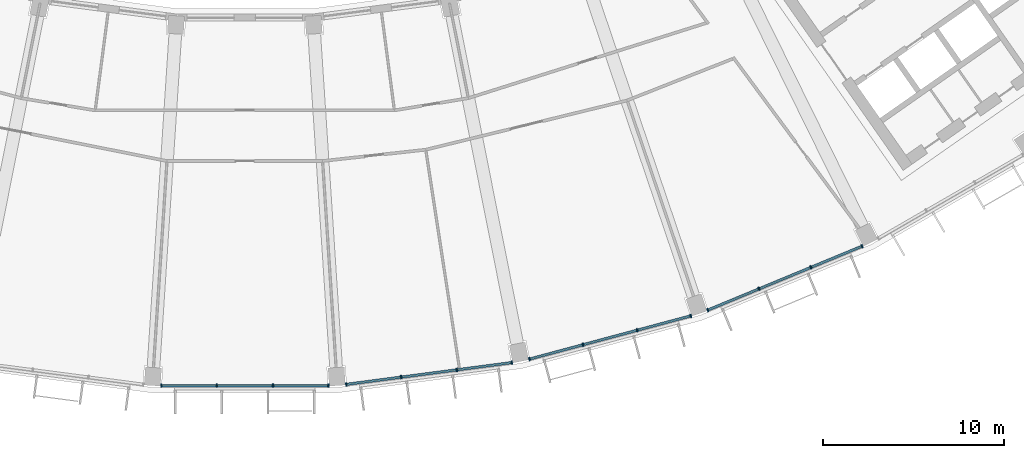
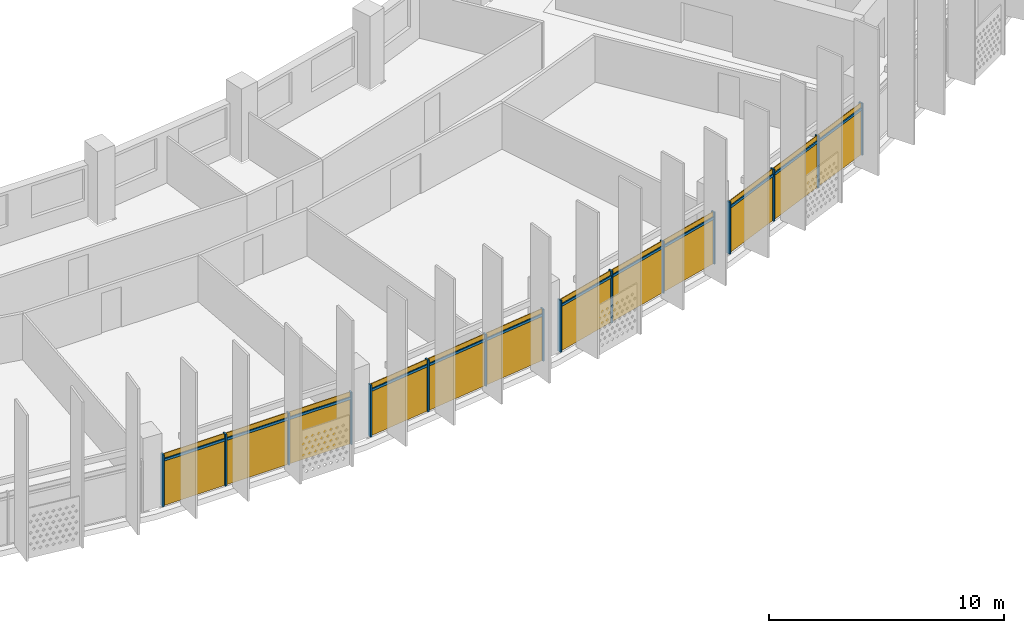
# One storey, part 19 of 29: 28 members, 4 curtain walls.
"""IFC4 building model written with IfcOpenShell, lengths in metres."""

from ifc_helpers import new_model, si_unit, direction, frame, origin, origin_2d, place, context, subcontext, project, spatial, rectangle, extrude, material, material_profile, profile_set, type_object, element, aggregate, save


model = new_model("IFC4")

# Units and contexts
model_context = context("Model", 3, precision=1e-05, world=origin(), true_north=direction((0.0, 1.0)))
body_context = subcontext(model_context, "Body", "Model", "MODEL_VIEW")
ifc_project = project(units=[si_unit("LENGTHUNIT", "METRE"), si_unit("AREAUNIT", "SQUARE_METRE"), si_unit("VOLUMEUNIT", "CUBIC_METRE"), si_unit("PLANEANGLEUNIT", "RADIAN"), si_unit("MASSUNIT", "GRAM", prefix="KILO")], contexts=[model_context])

# Member
ifc_material = material(Name="Aluminium 6063-T6 anodised", Category="aluminium")
ifc_material_profile_1 = material_profile(ifc_material, rectangle(XDim=0.199951171875, YDim=0.070068359375, at=origin_2d()))
ifc_profile_set_1 = profile_set([ifc_material_profile_1], Name="Aluminium 6063-T6 anodised")
member_type_1 = type_object("IfcMemberType", Name="Mullion 70 x 200 aluminium", PredefinedType="MULLION", material=ifc_profile_set_1)
site_placement = place(None, origin())
building_placement = place(site_placement, origin())
storey_placement = place(building_placement, frame((0.0, 0.0, 258.10009765625)))
member_1_placement = place(storey_placement, frame((-4.624267578125, -78.082275390625, 0.0), z_axis=(0.0, 0.0, 1.0), x_axis=(0.0, 1.0, 0.0)))
member_1 = element("IfcMember", 1, at=member_1_placement, type_object=member_type_1, Name="e-cw1-L62-out07/M00", PredefinedType="MULLION", context=body_context, shape_type="SweptSolid", body=[
    extrude(rectangle(XDim=0.199951171875, YDim=0.070068359375, at=origin_2d()), origin(), (0.0, 0.0, 1.0), 2.699951171875),
])

member_2_placement = place(storey_placement, frame((-1.55322265625, -78.082275390625, 0.0), z_axis=(0.0, 0.0, 1.0), x_axis=(0.0, 1.0, 0.0)))
member_2 = element("IfcMember", 2, at=member_2_placement, type_object=member_type_1, Name="e-cw1-L62-out07/M01", PredefinedType="MULLION", context=body_context, shape_type="SweptSolid", body=[
    extrude(rectangle(XDim=0.199951171875, YDim=0.070068359375, at=origin_2d()), origin(), (0.0, 0.0, 1.0), 2.699951171875),
])

member_3_placement = place(storey_placement, frame((1.55322265625, -78.082275390625, 0.0), z_axis=(0.0, 0.0, 1.0), x_axis=(0.0, 1.0, 0.0)))
member_3 = element("IfcMember", 3, at=member_3_placement, type_object=member_type_1, Name="e-cw1-L62-out07/M02", PredefinedType="MULLION", context=body_context, shape_type="SweptSolid", body=[
    extrude(rectangle(XDim=0.199951171875, YDim=0.070068359375, at=origin_2d()), origin(), (0.0, 0.0, 1.0), 2.699951171875),
])

member_4_placement = place(storey_placement, frame((4.624267578125, -78.082275390625, 0.0), z_axis=(0.0, 0.0, 1.0), x_axis=(0.0, 1.0, 0.0)))
member_4 = element("IfcMember", 4, at=member_4_placement, type_object=member_type_1, Name="e-cw1-L62-out07/M03", PredefinedType="MULLION", context=body_context, shape_type="SweptSolid", body=[
    extrude(rectangle(XDim=0.199951171875, YDim=0.070068359375, at=origin_2d()), origin(), (0.0, 0.0, 1.0), 2.699951171875),
])

member_5_placement = place(storey_placement, frame((5.60693359375, -78.017822265625, 0.0), z_axis=(0.0, 0.0, 1.0), x_axis=(-0.13052619222, 0.991444861374, 0.0)))
member_5 = element("IfcMember", 5, at=member_5_placement, type_object=member_type_1, Name="e-cw1-L62-out08/M00", PredefinedType="MULLION", context=body_context, shape_type="SweptSolid", body=[
    extrude(rectangle(XDim=0.199951171875, YDim=0.070068359375, at=origin_2d()), origin(), (0.0, 0.0, 1.0), 2.699951171875),
])

member_6_placement = place(storey_placement, frame((8.65185546875, -77.616943359375, 0.0), z_axis=(0.0, 0.0, 1.0), x_axis=(-0.13052619222, 0.991444861374, 0.0)))
member_6 = element("IfcMember", 6, at=member_6_placement, type_object=member_type_1, Name="e-cw1-L62-out08/M01", PredefinedType="MULLION", context=body_context, shape_type="SweptSolid", body=[
    extrude(rectangle(XDim=0.199951171875, YDim=0.070068359375, at=origin_2d()), origin(), (0.0, 0.0, 1.0), 2.699951171875),
])

member_7_placement = place(storey_placement, frame((11.731689453125, -77.21142578125, 0.0), z_axis=(0.0, 0.0, 1.0), x_axis=(-0.13052619222, 0.991444861374, 0.0)))
member_7 = element("IfcMember", 7, at=member_7_placement, type_object=member_type_1, Name="e-cw1-L62-out08/M02", PredefinedType="MULLION", context=body_context, shape_type="SweptSolid", body=[
    extrude(rectangle(XDim=0.199951171875, YDim=0.070068359375, at=origin_2d()), origin(), (0.0, 0.0, 1.0), 2.699951171875),
])

member_8_placement = place(storey_placement, frame((14.776611328125, -76.810546875, 0.0), z_axis=(0.0, 0.0, 1.0), x_axis=(-0.13052619222, 0.991444861374, 0.0)))
member_8 = element("IfcMember", 8, at=member_8_placement, type_object=member_type_1, Name="e-cw1-L62-out08/M03", PredefinedType="MULLION", context=body_context, shape_type="SweptSolid", body=[
    extrude(rectangle(XDim=0.199951171875, YDim=0.070068359375, at=origin_2d()), origin(), (0.0, 0.0, 1.0), 2.699951171875),
])

member_9_placement = place(storey_placement, frame((15.742431640625, -76.618408203125, 0.0), z_axis=(0.0, 0.0, 1.0), x_axis=(-0.258819045103, 0.965925826289, 0.0)))
member_9 = element("IfcMember", 9, at=member_9_placement, type_object=member_type_1, Name="e-cw1-L62-out09/M00", PredefinedType="MULLION", context=body_context, shape_type="SweptSolid", body=[
    extrude(rectangle(XDim=0.199951171875, YDim=0.070068359375, at=origin_2d()), origin(), (0.0, 0.0, 1.0), 2.699951171875),
])

member_10_placement = place(storey_placement, frame((18.708984375, -75.82373046875, 0.0), z_axis=(0.0, 0.0, 1.0), x_axis=(-0.258819045103, 0.965925826289, 0.0)))
member_10 = element("IfcMember", 10, at=member_10_placement, type_object=member_type_1, Name="e-cw1-L62-out09/M01", PredefinedType="MULLION", context=body_context, shape_type="SweptSolid", body=[
    extrude(rectangle(XDim=0.199951171875, YDim=0.070068359375, at=origin_2d()), origin(), (0.0, 0.0, 1.0), 2.699951171875),
])

member_11_placement = place(storey_placement, frame((21.70947265625, -75.019775390625, 0.0), z_axis=(0.0, 0.0, 1.0), x_axis=(-0.258819045103, 0.965925826289, 0.0)))
member_11 = element("IfcMember", 11, at=member_11_placement, type_object=member_type_1, Name="e-cw1-L62-out09/M02", PredefinedType="MULLION", context=body_context, shape_type="SweptSolid", body=[
    extrude(rectangle(XDim=0.199951171875, YDim=0.070068359375, at=origin_2d()), origin(), (0.0, 0.0, 1.0), 2.699951171875),
])

member_12_placement = place(storey_placement, frame((24.676025390625, -74.224853515625, 0.0), z_axis=(0.0, 0.0, 1.0), x_axis=(-0.258819045103, 0.965925826289, 0.0)))
member_12 = element("IfcMember", 12, at=member_12_placement, type_object=member_type_1, Name="e-cw1-L62-out09/M03", PredefinedType="MULLION", context=body_context, shape_type="SweptSolid", body=[
    extrude(rectangle(XDim=0.199951171875, YDim=0.070068359375, at=origin_2d()), origin(), (0.0, 0.0, 1.0), 2.699951171875),
])

member_13_placement = place(storey_placement, frame((25.6083984375, -73.908203125, 0.0), z_axis=(0.0, 0.0, 1.0), x_axis=(-0.382683432365, 0.923879532511, 0.0)))
member_13 = element("IfcMember", 13, at=member_13_placement, type_object=member_type_1, Name="e-cw1-L62-out10/M00", PredefinedType="MULLION", context=body_context, shape_type="SweptSolid", body=[
    extrude(rectangle(XDim=0.199951171875, YDim=0.070068359375, at=origin_2d()), origin(), (0.0, 0.0, 1.0), 2.699951171875),
])

member_14_placement = place(storey_placement, frame((28.44580078125, -72.73291015625, 0.0), z_axis=(0.0, 0.0, 1.0), x_axis=(-0.382683432365, 0.923879532511, 0.0)))
member_14 = element("IfcMember", 14, at=member_14_placement, type_object=member_type_1, Name="e-cw1-L62-out10/M01", PredefinedType="MULLION", context=body_context, shape_type="SweptSolid", body=[
    extrude(rectangle(XDim=0.199951171875, YDim=0.070068359375, at=origin_2d()), origin(), (0.0, 0.0, 1.0), 2.699951171875),
])

member_15_placement = place(storey_placement, frame((31.315673828125, -71.544189453125, 0.0), z_axis=(0.0, 0.0, 1.0), x_axis=(-0.382683432365, 0.923879532511, 0.0)))
member_15 = element("IfcMember", 15, at=member_15_placement, type_object=member_type_1, Name="e-cw1-L62-out10/M02", PredefinedType="MULLION", context=body_context, shape_type="SweptSolid", body=[
    extrude(rectangle(XDim=0.199951171875, YDim=0.070068359375, at=origin_2d()), origin(), (0.0, 0.0, 1.0), 2.699951171875),
])

member_16_placement = place(storey_placement, frame((34.153076171875, -70.368896484375, 0.0), z_axis=(0.0, 0.0, 1.0), x_axis=(-0.382683432365, 0.923879532511, 0.0)))
member_16 = element("IfcMember", 16, at=member_16_placement, type_object=member_type_1, Name="e-cw1-L62-out10/M03", PredefinedType="MULLION", context=body_context, shape_type="SweptSolid", body=[
    extrude(rectangle(XDim=0.199951171875, YDim=0.070068359375, at=origin_2d()), origin(), (0.0, 0.0, 1.0), 2.699951171875),
])

ifc_material_profile_2 = material_profile(ifc_material, rectangle(XDim=0.139892578125, YDim=0.1201171875, at=origin_2d()))
ifc_profile_set_2 = profile_set([ifc_material_profile_2], Name="Aluminium 6063-T6 anodised")
member_type_2 = type_object("IfcMemberType", Name="Transom 120 x 140 aluminium", PredefinedType="USERDEFINED", material=ifc_profile_set_2)
member_17_placement = place(storey_placement, frame((-4.58935546875, -78.082275390625, 2.39990234375), z_axis=(1.0, 0.0, 0.0), x_axis=(0.0, 1.0, 0.0)))
member_17 = element("IfcMember", 17, at=member_17_placement, type_object=member_type_2, Name="e-cw1-L62-out07/T00", ObjectType="TRANSOM", PredefinedType="USERDEFINED", context=body_context, shape_type="SweptSolid", body=[
    extrude(rectangle(XDim=0.139892578125, YDim=0.1201171875, at=origin_2d()), origin(), (0.0, 0.0, 1.0), 3.001220703125),
])

member_18_placement = place(storey_placement, frame((-1.51806640625, -78.082275390625, 2.39990234375), z_axis=(1.0, 0.0, 0.0), x_axis=(0.0, 1.0, 0.0)))
member_18 = element("IfcMember", 18, at=member_18_placement, type_object=member_type_2, Name="e-cw1-L62-out07/T01", ObjectType="TRANSOM", PredefinedType="USERDEFINED", context=body_context, shape_type="SweptSolid", body=[
    extrude(rectangle(XDim=0.139892578125, YDim=0.1201171875, at=origin_2d()), origin(), (0.0, 0.0, 1.0), 3.0361328125),
])

member_19_placement = place(storey_placement, frame((1.588134765625, -78.082275390625, 2.39990234375), z_axis=(1.0, 0.0, 0.0), x_axis=(0.0, 1.0, 0.0)))
member_19 = element("IfcMember", 19, at=member_19_placement, type_object=member_type_2, Name="e-cw1-L62-out07/T02", ObjectType="TRANSOM", PredefinedType="USERDEFINED", context=body_context, shape_type="SweptSolid", body=[
    extrude(rectangle(XDim=0.139892578125, YDim=0.1201171875, at=origin_2d()), origin(), (0.0, 0.0, 1.0), 3.001220703125),
])

member_20_placement = place(storey_placement, frame((5.6416015625, -78.01318359375, 2.39990234375), z_axis=(0.991450972696, 0.130479763719, 0.0), x_axis=(-0.130479763719, 0.991450972696, 0.0)))
member_20 = element("IfcMember", 20, at=member_20_placement, type_object=member_type_2, Name="e-cw1-L62-out08/T00", ObjectType="TRANSOM", PredefinedType="USERDEFINED", context=body_context, shape_type="SweptSolid", body=[
    extrude(rectangle(XDim=0.139892578125, YDim=0.1201171875, at=origin_2d()), origin(), (0.0, 0.0, 1.0), 3.001220703125),
])

member_21_placement = place(storey_placement, frame((8.686767578125, -77.6123046875, 2.39990234375), z_axis=(0.991447725786, 0.130504433005, 0.0), x_axis=(-0.130504433005, 0.991447725786, 0.0)))
member_21 = element("IfcMember", 21, at=member_21_placement, type_object=member_type_2, Name="e-cw1-L62-out08/T01", ObjectType="TRANSOM", PredefinedType="USERDEFINED", context=body_context, shape_type="SweptSolid", body=[
    extrude(rectangle(XDim=0.139892578125, YDim=0.1201171875, at=origin_2d()), origin(), (0.0, 0.0, 1.0), 3.0361328125),
])

member_22_placement = place(storey_placement, frame((11.766357421875, -77.20703125, 2.39990234375), z_axis=(0.991440446253, 0.13055972401, 0.0), x_axis=(-0.13055972401, 0.991440446253, 0.0)))
member_22 = element("IfcMember", 22, at=member_22_placement, type_object=member_type_2, Name="e-cw1-L62-out08/T02", ObjectType="TRANSOM", PredefinedType="USERDEFINED", context=body_context, shape_type="SweptSolid", body=[
    extrude(rectangle(XDim=0.139892578125, YDim=0.1201171875, at=origin_2d()), origin(), (0.0, 0.0, 1.0), 3.001220703125),
])

member_23_placement = place(storey_placement, frame((15.776123046875, -76.609375, 2.39990234375), z_axis=(0.965944058071, 0.258750993577, 0.0), x_axis=(-0.258750993577, 0.965944058071, 0.0)))
member_23 = element("IfcMember", 23, at=member_23_placement, type_object=member_type_2, Name="e-cw1-L62-out09/T00", ObjectType="TRANSOM", PredefinedType="USERDEFINED", context=body_context, shape_type="SweptSolid", body=[
    extrude(rectangle(XDim=0.139892578125, YDim=0.1201171875, at=origin_2d()), origin(), (0.0, 0.0, 1.0), 3.00146484375),
])

member_24_placement = place(storey_placement, frame((18.74267578125, -75.814453125, 2.39990234375), z_axis=(0.965943386189, 0.258753501769, 0.0), x_axis=(-0.258753501769, 0.965943386189, 0.0)))
member_24 = element("IfcMember", 24, at=member_24_placement, type_object=member_type_2, Name="e-cw1-L62-out09/T01", ObjectType="TRANSOM", PredefinedType="USERDEFINED", context=body_context, shape_type="SweptSolid", body=[
    extrude(rectangle(XDim=0.139892578125, YDim=0.1201171875, at=origin_2d()), origin(), (0.0, 0.0, 1.0), 3.036376953125),
])

member_25_placement = place(storey_placement, frame((21.7431640625, -75.0107421875, 2.39990234375), z_axis=(0.965918275034, 0.258847225127, 0.0), x_axis=(-0.258847225127, 0.965918275034, 0.0)))
member_25 = element("IfcMember", 25, at=member_25_placement, type_object=member_type_2, Name="e-cw1-L62-out09/T02", ObjectType="TRANSOM", PredefinedType="USERDEFINED", context=body_context, shape_type="SweptSolid", body=[
    extrude(rectangle(XDim=0.139892578125, YDim=0.1201171875, at=origin_2d()), origin(), (0.0, 0.0, 1.0), 3.001220703125),
])

member_26_placement = place(storey_placement, frame((25.640869140625, -73.894775390625, 2.39990234375), z_axis=(0.923885958475, 0.382667918347, 0.0), x_axis=(-0.382667918347, 0.923885958475, 0.0)))
member_26 = element("IfcMember", 26, at=member_26_placement, type_object=member_type_2, Name="e-cw1-L62-out10/T00", ObjectType="TRANSOM", PredefinedType="USERDEFINED", context=body_context, shape_type="SweptSolid", body=[
    extrude(rectangle(XDim=0.139892578125, YDim=0.1201171875, at=origin_2d()), origin(), (0.0, 0.0, 1.0), 3.001220703125),
])

member_27_placement = place(storey_placement, frame((28.478271484375, -72.719482421875, 2.39990234375), z_axis=(0.923888454036, 0.38266189319, 0.0), x_axis=(-0.38266189319, 0.923888454036, 0.0)))
member_27 = element("IfcMember", 27, at=member_27_placement, type_object=member_type_2, Name="e-cw1-L62-out10/T01", ObjectType="TRANSOM", PredefinedType="USERDEFINED", context=body_context, shape_type="SweptSolid", body=[
    extrude(rectangle(XDim=0.139892578125, YDim=0.1201171875, at=origin_2d()), origin(), (0.0, 0.0, 1.0), 3.036376953125),
])

member_28_placement = place(storey_placement, frame((31.347900390625, -71.53076171875, 2.39990234375), z_axis=(0.923897869521, 0.382639159907, 0.0), x_axis=(-0.382639159907, 0.923897869521, 0.0)))
member_28 = element("IfcMember", 28, at=member_28_placement, type_object=member_type_2, Name="e-cw1-L62-out10/T02", ObjectType="TRANSOM", PredefinedType="USERDEFINED", context=body_context, shape_type="SweptSolid", body=[
    extrude(rectangle(XDim=0.139892578125, YDim=0.1201171875, at=origin_2d()), origin(), (0.0, 0.0, 1.0), 3.00146484375),
])

# Site, building, storey
site = spatial("IfcSite", under=ifc_project, at=site_placement, CompositionType="ELEMENT")
building = spatial("IfcBuilding", under=site, at=building_placement, Name="Qamariyya Broadcast Tower", CompositionType="ELEMENT")
storey = spatial("IfcBuildingStorey", under=building, at=storey_placement, Name="L62", CompositionType="ELEMENT", Elevation=258.10009765625)

# Curtain wall
curtain_wall_type = type_object("IfcCurtainWallType", Name="Unitised curtain wall, anodised aluminium", PredefinedType="NOTDEFINED", material=ifc_material)
curtain_wall_1_placement = place(storey_placement, origin())
curtain_wall_1 = element("IfcCurtainWall", 29, at=curtain_wall_1_placement, inside=storey, type_object=curtain_wall_type, Name="e-cw1-L62-out07", PredefinedType="NOTDEFINED", context=body_context, shape_type="SweptSolid", body=[
    extrude(rectangle(XDim=3.001220703125, YDim=0.031982421875, at=origin_2d()), frame((-3.0888671875, -78.082275390625, 0.0), x_axis=(1.0, 0.0, 0.0)), (0.0, 0.0, 1.0), 2.340087890625),
    extrude(rectangle(XDim=3.001220703125, YDim=0.031982421875, at=origin_2d()), frame((-3.0888671875, -78.082275390625, 2.4599609375), x_axis=(1.0, 0.0, 0.0)), (0.0, 0.0, 1.0), 0.239990234375),
    extrude(rectangle(XDim=3.036376953125, YDim=0.031982421875, at=origin_2d()), frame((0.0, -78.082275390625, 0.0), x_axis=(1.0, 0.0, 0.0)), (0.0, 0.0, 1.0), 2.340087890625),
    extrude(rectangle(XDim=3.036376953125, YDim=0.031982421875, at=origin_2d()), frame((0.0, -78.082275390625, 2.4599609375), x_axis=(1.0, 0.0, 0.0)), (0.0, 0.0, 1.0), 0.239990234375),
    extrude(rectangle(XDim=3.001220703125, YDim=0.031982421875, at=origin_2d()), frame((3.0888671875, -78.082275390625, 0.0), x_axis=(1.0, 0.0, 0.0)), (0.0, 0.0, 1.0), 2.340087890625),
    extrude(rectangle(XDim=3.001220703125, YDim=0.031982421875, at=origin_2d()), frame((3.0888671875, -78.082275390625, 2.4599609375), x_axis=(1.0, 0.0, 0.0)), (0.0, 0.0, 1.0), 0.239990234375),
])

aggregate(curtain_wall_1, [member_1, member_2, member_3, member_4, member_17, member_18, member_19])

curtain_wall_2_placement = place(storey_placement, origin())
curtain_wall_2 = element("IfcCurtainWall", 30, at=curtain_wall_2_placement, inside=storey, type_object=curtain_wall_type, Name="e-cw1-L62-out08", PredefinedType="NOTDEFINED", context=body_context, shape_type="SweptSolid", body=[
    extrude(rectangle(XDim=3.001220703125, YDim=0.031982421875, at=origin_2d()), frame((7.12939453125, -77.8173828125, 0.0), x_axis=(0.991445286748, 0.130522961144, 0.0)), (0.0, 0.0, 1.0), 2.340087890625),
    extrude(rectangle(XDim=3.001220703125, YDim=0.031982421875, at=origin_2d()), frame((7.12939453125, -77.8173828125, 2.4599609375), x_axis=(0.991445286748, 0.130522961144, 0.0)), (0.0, 0.0, 1.0), 0.239990234375),
    extrude(rectangle(XDim=3.0361328125, YDim=0.031982421875, at=origin_2d()), frame((10.19189453125, -77.414306640625, 0.0), x_axis=(0.991445286748, 0.130522961144, 0.0)), (0.0, 0.0, 1.0), 2.340087890625),
    extrude(rectangle(XDim=3.0361328125, YDim=0.031982421875, at=origin_2d()), frame((10.19189453125, -77.414306640625, 2.4599609375), x_axis=(0.991445286748, 0.130522961144, 0.0)), (0.0, 0.0, 1.0), 0.239990234375),
    extrude(rectangle(XDim=3.001220703125, YDim=0.031982421875, at=origin_2d()), frame((13.254150390625, -77.01123046875, 0.0), x_axis=(0.991445286748, 0.130522961144, 0.0)), (0.0, 0.0, 1.0), 2.340087890625),
    extrude(rectangle(XDim=3.001220703125, YDim=0.031982421875, at=origin_2d()), frame((13.254150390625, -77.01123046875, 2.4599609375), x_axis=(0.991445286748, 0.130522961144, 0.0)), (0.0, 0.0, 1.0), 0.239990234375),
])

aggregate(curtain_wall_2, [member_5, member_6, member_7, member_8, member_20, member_21, member_22])

curtain_wall_3_placement = place(storey_placement, origin())
curtain_wall_3 = element("IfcCurtainWall", 31, at=curtain_wall_3_placement, inside=storey, type_object=curtain_wall_type, Name="e-cw1-L62-out09", PredefinedType="NOTDEFINED", context=body_context, shape_type="SweptSolid", body=[
    extrude(rectangle(XDim=3.001220703125, YDim=0.031982421875, at=origin_2d()), frame((17.2255859375, -76.22119140625, 0.0), x_axis=(0.965925949265, 0.258818586151, 0.0)), (0.0, 0.0, 1.0), 2.340087890625),
    extrude(rectangle(XDim=3.001220703125, YDim=0.031982421875, at=origin_2d()), frame((17.2255859375, -76.22119140625, 2.4599609375), x_axis=(0.965925949265, 0.258818586151, 0.0)), (0.0, 0.0, 1.0), 0.239990234375),
    extrude(rectangle(XDim=3.0361328125, YDim=0.031982421875, at=origin_2d()), frame((20.208984375, -75.421875, 0.0), x_axis=(0.965925949265, 0.258818586151, 0.0)), (0.0, 0.0, 1.0), 2.340087890625),
    extrude(rectangle(XDim=3.0361328125, YDim=0.031982421875, at=origin_2d()), frame((20.208984375, -75.421875, 2.4599609375), x_axis=(0.965925949265, 0.258818586151, 0.0)), (0.0, 0.0, 1.0), 0.239990234375),
    extrude(rectangle(XDim=3.001220703125, YDim=0.031982421875, at=origin_2d()), frame((23.192626953125, -74.622314453125, 0.0), x_axis=(0.965925949265, 0.258818586151, 0.0)), (0.0, 0.0, 1.0), 2.340087890625),
    extrude(rectangle(XDim=3.001220703125, YDim=0.031982421875, at=origin_2d()), frame((23.192626953125, -74.622314453125, 2.4599609375), x_axis=(0.965925949265, 0.258818586151, 0.0)), (0.0, 0.0, 1.0), 0.239990234375),
])

aggregate(curtain_wall_3, [member_9, member_10, member_11, member_12, member_23, member_24, member_25])

curtain_wall_4_placement = place(storey_placement, origin())
curtain_wall_4 = element("IfcCurtainWall", 32, at=curtain_wall_4_placement, inside=storey, type_object=curtain_wall_type, Name="e-cw1-L62-out10", PredefinedType="NOTDEFINED", context=body_context, shape_type="SweptSolid", body=[
    extrude(rectangle(XDim=3.001220703125, YDim=0.031982421875, at=origin_2d()), frame((27.02734375, -73.320556640625, 0.0), x_axis=(0.923877930643, 0.382687299595, 0.0)), (0.0, 0.0, 1.0), 2.340087890625),
    extrude(rectangle(XDim=3.001220703125, YDim=0.031982421875, at=origin_2d()), frame((27.02734375, -73.320556640625, 2.4599609375), x_axis=(0.923877930643, 0.382687299595, 0.0)), (0.0, 0.0, 1.0), 0.239990234375),
    extrude(rectangle(XDim=3.0361328125, YDim=0.031982421875, at=origin_2d()), frame((29.880859375, -72.138671875, 0.0), x_axis=(0.923877930643, 0.382687299595, 0.0)), (0.0, 0.0, 1.0), 2.340087890625),
    extrude(rectangle(XDim=3.0361328125, YDim=0.031982421875, at=origin_2d()), frame((29.880859375, -72.138671875, 2.4599609375), x_axis=(0.923877930643, 0.382687299595, 0.0)), (0.0, 0.0, 1.0), 0.239990234375),
    extrude(rectangle(XDim=3.001220703125, YDim=0.031982421875, at=origin_2d()), frame((32.734375, -70.95654296875, 0.0), x_axis=(0.923877930643, 0.382687299595, 0.0)), (0.0, 0.0, 1.0), 2.340087890625),
    extrude(rectangle(XDim=3.001220703125, YDim=0.031982421875, at=origin_2d()), frame((32.734375, -70.95654296875, 2.4599609375), x_axis=(0.923877930643, 0.382687299595, 0.0)), (0.0, 0.0, 1.0), 0.239990234375),
])

aggregate(curtain_wall_4, [member_13, member_14, member_15, member_16, member_26, member_27, member_28])

save(model, "model.ifc")
